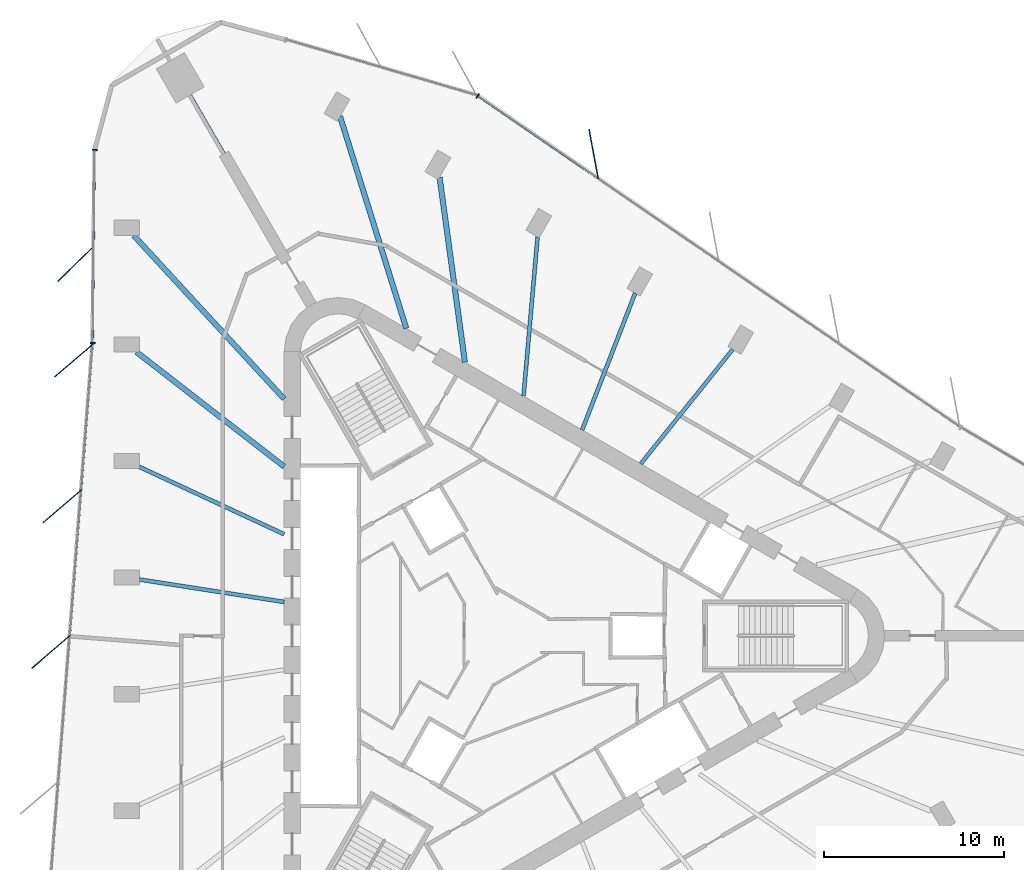
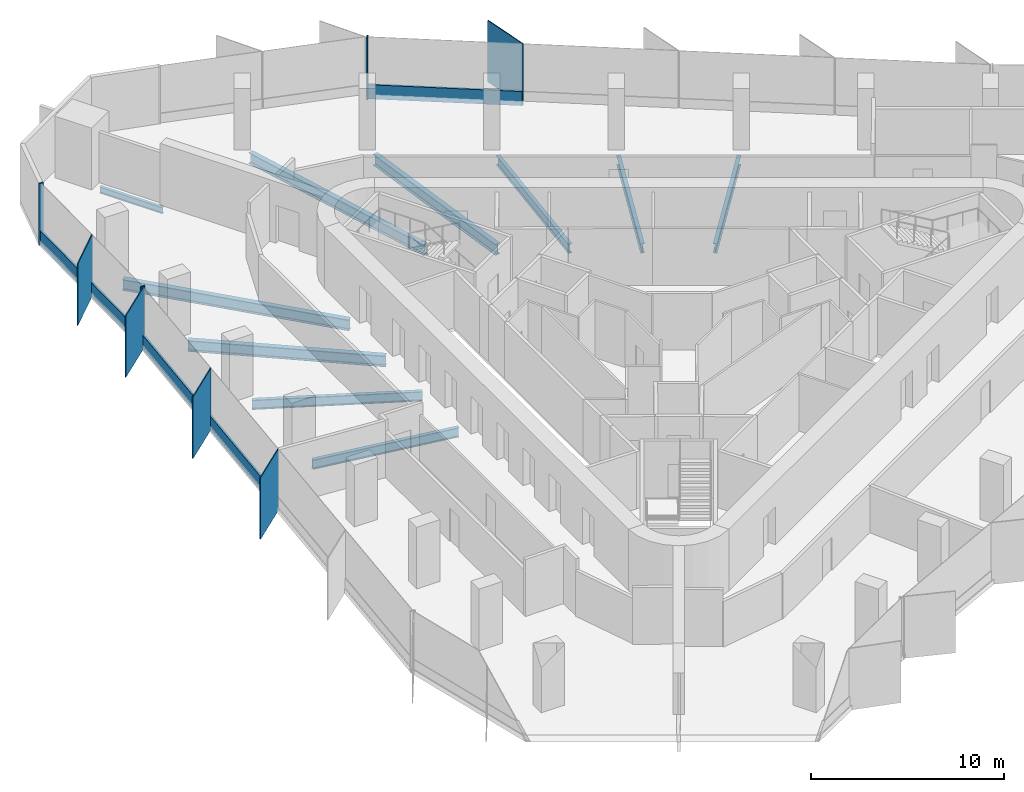
# One storey, part 4 of 14: 13 members, 10 beams, 3 elements without a shape of their own.
"""IFC4 building model written with IfcOpenShell, lengths in metres."""

from ifc_helpers import new_model, si_unit, direction, frame, origin, origin_2d, place, context, subcontext, project, spatial, rectangle, i_section, extrude, material, material_profile, profile_set, type_object, element, aggregate, save


model = new_model("IFC4")

# Units and contexts
model_context = context("Model", 3, precision=1e-05, world=origin(), true_north=direction((0.0, 1.0)))
body_context = subcontext(model_context, "Body", "Model", "MODEL_VIEW")
ifc_project = project(units=[si_unit("LENGTHUNIT", "METRE"), si_unit("AREAUNIT", "SQUARE_METRE"), si_unit("VOLUMEUNIT", "CUBIC_METRE"), si_unit("PLANEANGLEUNIT", "RADIAN"), si_unit("MASSUNIT", "GRAM", prefix="KILO")], contexts=[model_context])

# Site, building, storey
site_placement = place(None, origin())
site = spatial("IfcSite", under=ifc_project, at=site_placement, CompositionType="ELEMENT")
building_placement = place(site_placement, origin())
building = spatial("IfcBuilding", under=site, at=building_placement, Name="Tanit Gate Tower", CompositionType="ELEMENT")
storey_placement = place(building_placement, frame((0.0, 0.0, 306.5)))
storey = spatial("IfcBuildingStorey", under=building, at=storey_placement, Name="L68", CompositionType="ELEMENT", Elevation=306.5)

# Curtain wall, member
ifc_material_1 = material(Name="Aluminium bronze anodised and glass", Category="aluminium")
curtain_wall_type = type_object("IfcCurtainWallType", Name="Curtain wall typical high", PredefinedType="NOTDEFINED", material=ifc_material_1)
curtain_wall_1_placement = place(storey_placement, origin())
curtain_wall_1 = element("IfcCurtainWall", 1, at=curtain_wall_1_placement, inside=storey, type_object=curtain_wall_type, Name="Curtain wall L68 NE2", PredefinedType="NOTDEFINED")
ifc_material_2 = material(Name="Aluminium bronze anodised", Category="aluminium")
ifc_material_profile_1 = material_profile(ifc_material_2, rectangle(XDim=2.800048828125, YDim=0.055908203125, at=origin_2d()), Name="56x2800 bronze fin mullion")
ifc_profile_set_1 = profile_set([ifc_material_profile_1], Name="Aluminium bronze anodised")
member_type_1 = type_object("IfcMemberType", Name="FIN MULLION 56x2800 bronze", PredefinedType="MULLION", material=ifc_profile_set_1)
member_1_placement = place(storey_placement, frame((5.062744140625, 26.718017578125, -0.300048828125), z_axis=(0.0, 0.0, 1.0), x_axis=(0.182847499991, -0.983141287785, 0.0)))
member_1 = element("IfcMember", 2, at=member_1_placement, type_object=member_type_1, Name="Fin mullion L68 NE2.4", PredefinedType="MULLION", context=body_context, shape_type="SweptSolid", body=[
    extrude(rectangle(XDim=2.800048828125, YDim=0.055908203125, at=origin_2d()), origin(), (0.0, 0.0, 1.0), 3.900146484375),
])

curtain_wall_2_placement = place(storey_placement, origin())
curtain_wall_2 = element("IfcCurtainWall", 3, at=curtain_wall_2_placement, inside=storey, type_object=curtain_wall_type, Name="Curtain wall L68 W1", PredefinedType="NOTDEFINED")
member_2_placement = place(storey_placement, frame((-23.65625, 20.632568359375, -0.300048828125), z_axis=(0.0, 0.0, 1.0), x_axis=(0.71424439476, 0.699896381298, 0.0)))
member_2 = element("IfcMember", 4, at=member_2_placement, type_object=member_type_1, Name="Fin mullion L68 W1.2", PredefinedType="MULLION", context=body_context, shape_type="SweptSolid", body=[
    extrude(rectangle(XDim=2.800048828125, YDim=0.055908203125, at=origin_2d()), origin(), (0.0, 0.0, 1.0), 3.900146484375),
])

# Curtain wall, members
curtain_wall_3_placement = place(storey_placement, origin())
curtain_wall_3 = element("IfcCurtainWall", 5, at=curtain_wall_3_placement, inside=storey, type_object=curtain_wall_type, Name="Curtain wall L68 W2", PredefinedType="NOTDEFINED")
member_3_placement = place(storey_placement, frame((-23.77734375, 15.264892578125, -0.300048828125), z_axis=(0.0, 0.0, 1.0), x_axis=(0.760001580735, 0.649921223903, 0.0)))
member_3 = element("IfcMember", 6, at=member_3_placement, type_object=member_type_1, Name="Fin mullion L68 W2.1", PredefinedType="MULLION", context=body_context, shape_type="SweptSolid", body=[
    extrude(rectangle(XDim=2.800048828125, YDim=0.055908203125, at=origin_2d()), origin(), (0.0, 0.0, 1.0), 3.900146484375),
])
member_4_placement = place(storey_placement, frame((-24.407958984375, 7.18505859375, -0.300048828125), z_axis=(0.0, 0.0, 1.0), x_axis=(0.760001580735, 0.649921223903, 0.0)))
member_4 = element("IfcMember", 7, at=member_4_placement, type_object=member_type_1, Name="Fin mullion L68 W2.2", PredefinedType="MULLION", context=body_context, shape_type="SweptSolid", body=[
    extrude(rectangle(XDim=2.800048828125, YDim=0.055908203125, at=origin_2d()), origin(), (0.0, 0.0, 1.0), 3.900146484375),
])
member_5_placement = place(storey_placement, frame((-25.038818359375, -0.894775390625, -0.300048828125), z_axis=(0.0, 0.0, 1.0), x_axis=(0.760001580735, 0.649921223903, 0.0)))
member_5 = element("IfcMember", 8, at=member_5_placement, type_object=member_type_1, Name="Fin mullion L68 W2.3", PredefinedType="MULLION", context=body_context, shape_type="SweptSolid", body=[
    extrude(rectangle(XDim=2.800048828125, YDim=0.055908203125, at=origin_2d()), origin(), (0.0, 0.0, 1.0), 3.900146484375),
])

# Member
ifc_material_3 = material(Name="Aluminium bronze anodised", Category="aluminium")
ifc_material_profile_2 = material_profile(ifc_material_3, rectangle(XDim=0.280029296875, YDim=0.080078125, at=origin_2d()), Name="80x280 bronze mullion")
ifc_profile_set_2 = profile_set([ifc_material_profile_2], Name="Aluminium bronze anodised")
member_type_2 = type_object("IfcMemberType", Name="Mullion 80x280 typical high", PredefinedType="MULLION", material=ifc_profile_set_2)
member_6_placement = place(storey_placement, frame((-1.366943359375, 29.947265625, -0.300048828125), z_axis=(0.0, 0.0, 1.0), x_axis=(-0.56589316429, -0.824478578624, 0.0)))
member_6 = element("IfcMember", 9, at=member_6_placement, type_object=member_type_2, Name="Mullion L68 NE2.5", PredefinedType="MULLION", context=body_context, shape_type="SweptSolid", body=[
    extrude(rectangle(XDim=0.280029296875, YDim=0.080078125, at=origin_2d()), origin(), (0.0, 0.0, 1.0), 3.900146484375),
])

member_7_placement = place(storey_placement, frame((-22.615966796875, 26.955322265625, -0.300048828125), z_axis=(0.0, 0.0, 1.0), x_axis=(0.999948532303, -0.010145577616, 0.0)))
member_7 = element("IfcMember", 10, at=member_7_placement, type_object=member_type_2, Name="Mullion L68 W1.1", PredefinedType="MULLION", context=body_context, shape_type="SweptSolid", body=[
    extrude(rectangle(XDim=0.280029296875, YDim=0.080078125, at=origin_2d()), origin(), (0.0, 0.0, 1.0), 3.900146484375),
])

member_8_placement = place(storey_placement, frame((-22.724853515625, 16.24169921875, -0.300048828125), z_axis=(0.0, 0.0, 1.0), x_axis=(0.999948532303, -0.010145577616, 0.0)))
member_8 = element("IfcMember", 11, at=member_8_placement, type_object=member_type_2, Name="Mullion L68 W1.3", PredefinedType="MULLION", context=body_context, shape_type="SweptSolid", body=[
    extrude(rectangle(XDim=0.280029296875, YDim=0.080078125, at=origin_2d()), origin(), (0.0, 0.0, 1.0), 3.900146484375),
])

# Beams
ifc_material_4 = material(Name="Steel S355", Category="steel")
ifc_material_profile_3 = material_profile(ifc_material_4, i_section(OverallWidth=0.300048828125, OverallDepth=0.68994140625, WebThickness=0.014404296875, FlangeThickness=0.027099609375, FilletRadius=0.027099609375, at=origin_2d()), Name="HEA 700")
ifc_profile_set_3 = profile_set([ifc_material_profile_3], Name="Steel S355")
beam_type_1 = type_object("IfcBeamType", Name="RADIAL GIRDER HEA 700 S355", PredefinedType="BEAM", material=ifc_profile_set_3)
beam_1_placement = place(storey_placement, frame((-3.48291015625, 25.436767578125, -0.64501953125), z_axis=(0.135657975489, -0.990755728566, 0.0), x_axis=(0.990755728566, 0.135657975489, 0.0)))
element("IfcBeam", 12, at=beam_1_placement, inside=storey, type_object=beam_type_1, Name="RADIAL GIRDER", PredefinedType="BEAM", context=body_context, shape_type="SweptSolid", body=[
    extrude(i_section(OverallWidth=0.300048828125, OverallDepth=0.68994140625, WebThickness=0.014404296875, FlangeThickness=0.027099609375, FilletRadius=0.027099609375, at=origin_2d()), origin(), (0.0, 0.0, 1.0), 10.35888671875),
])
beam_2_placement = place(storey_placement, frame((-9.00244140625, 28.804443359375, -0.64501953125), z_axis=(0.298298699316, -0.954472569531, 0.0), x_axis=(0.954472569531, 0.298298699316, 0.0)))
element("IfcBeam", 13, at=beam_2_placement, inside=storey, type_object=beam_type_1, Name="RADIAL GIRDER", PredefinedType="BEAM", context=body_context, shape_type="SweptSolid", body=[
    extrude(i_section(OverallWidth=0.300048828125, OverallDepth=0.68994140625, WebThickness=0.014404296875, FlangeThickness=0.027099609375, FilletRadius=0.027099609375, at=origin_2d()), origin(), (0.0, 0.0, 1.0), 12.314208984375),
])
beam_3_placement = place(storey_placement, frame((-20.444091796875, 22.198486328125, -0.64501953125), z_axis=(0.677443856772, -0.735574483599, 0.0), x_axis=(0.735574483599, 0.677443856772, 0.0)))
element("IfcBeam", 14, at=beam_3_placement, inside=storey, type_object=beam_type_1, Name="RADIAL GIRDER", PredefinedType="BEAM", context=body_context, shape_type="SweptSolid", body=[
    extrude(i_section(OverallWidth=0.300048828125, OverallDepth=0.68994140625, WebThickness=0.014404296875, FlangeThickness=0.027099609375, FilletRadius=0.027099609375, at=origin_2d()), origin(), (0.0, 0.0, 1.0), 12.31396484375),
])
beam_4_placement = place(storey_placement, frame((-20.28759765625, 15.734619140625, -0.64501953125), z_axis=(0.790189054489, -0.612863164308, 0.0), x_axis=(0.612863164308, 0.790189054489, 0.0)))
element("IfcBeam", 15, at=beam_4_placement, inside=storey, type_object=beam_type_1, Name="RADIAL GIRDER", PredefinedType="BEAM", context=body_context, shape_type="SweptSolid", body=[
    extrude(i_section(OverallWidth=0.300048828125, OverallDepth=0.68994140625, WebThickness=0.014404296875, FlangeThickness=0.027099609375, FilletRadius=0.027099609375, at=origin_2d()), origin(), (0.0, 0.0, 1.0), 10.35888671875),
])
ifc_material_5 = material(Name="Steel S355", Category="steel")
ifc_material_profile_4 = material_profile(ifc_material_5, i_section(OverallWidth=0.179931640625, OverallDepth=0.39990234375, WebThickness=0.008544921875, FlangeThickness=0.013427734375, FilletRadius=0.02099609375, at=origin_2d()), Name="IPE 400")
ifc_profile_set_4 = profile_set([ifc_material_profile_4], Name="Steel S355")
beam_type_2 = type_object("IfcBeamType", Name="RADIAL GIRDER IPE 400 S355", PredefinedType="BEAM", material=ifc_profile_set_4)
beam_5_placement = place(storey_placement, frame((-17.3154296875, 29.9912109375, -0.5), z_axis=(0.500007177232, -0.866021259968, 0.0), x_axis=(0.866021259968, 0.500007177232, 0.0)))
element("IfcBeam", 16, at=beam_5_placement, inside=storey, type_object=beam_type_2, Name="RADIAL GIRDER", PredefinedType="BEAM", context=body_context, shape_type="SweptSolid", body=[
    extrude(i_section(OverallWidth=0.179931640625, OverallDepth=0.39990234375, WebThickness=0.008544921875, FlangeThickness=0.013427734375, FilletRadius=0.02099609375, at=origin_2d()), origin(), (0.0, 0.0, 1.0), 3.7607421875),
])
ifc_material_6 = material(Name="Steel S355", Category="steel")
ifc_material_profile_5 = material_profile(ifc_material_6, i_section(OverallWidth=0.219970703125, OverallDepth=0.60009765625, WebThickness=0.011962890625, FlangeThickness=0.01904296875, FilletRadius=0.02392578125, at=origin_2d()), Name="IPE 600")
ifc_profile_set_5 = profile_set([ifc_material_profile_5], Name="Steel S355")
beam_type_3 = type_object("IfcBeamType", Name="RADIAL GIRDER IPE 600 S355", PredefinedType="BEAM", material=ifc_profile_set_5)
for number, where, z_axis, x_axis, name in (
    (17, (12.772705078125, 15.876220703125, -0.60009765625), (-0.626835145211, -0.779151911201, 0.0), (0.779151911201, -0.626835145211, 0.0), "RADIAL GIRDER"),
    (18, (7.36279296875, 18.99951171875, -0.60009765625), (-0.361334449338, -0.932436279711, 0.0), (0.932436279711, -0.361334449338, 0.0), "RADIAL GIRDER"),
):
    element("IfcBeam", number, at=place(storey_placement, frame(where, z_axis=z_axis, x_axis=x_axis)), inside=storey, type_object=beam_type_3, Name=name, PredefinedType="BEAM", context=body_context, shape_type="SweptSolid", body=[
        extrude(i_section(OverallWidth=0.219970703125, OverallDepth=0.60009765625, WebThickness=0.011962890625, FlangeThickness=0.01904296875, FilletRadius=0.02392578125, at=origin_2d()), origin(), (0.0, 0.0, 1.0), 8.129638671875),
    ])
for number, where, z_axis, x_axis, name in (
    (19, (1.952880859375, 22.122802734375, -0.60009765625), (-0.087921954634, -0.996127366301, 0.0), (0.996127366301, -0.087921954634, 0.0), "RADIAL GIRDER"),
    (20, (-20.135498046875, 9.3701171875, -0.60009765625), (0.906633128224, -0.421919863015, 0.0), (0.421919863015, 0.906633128224, 0.0), "RADIAL GIRDER"),
):
    element("IfcBeam", number, at=place(storey_placement, frame(where, z_axis=z_axis, x_axis=x_axis)), inside=storey, type_object=beam_type_3, Name=name, PredefinedType="BEAM", context=body_context, shape_type="SweptSolid", body=[
        extrude(i_section(OverallWidth=0.219970703125, OverallDepth=0.60009765625, WebThickness=0.011962890625, FlangeThickness=0.01904296875, FilletRadius=0.02392578125, at=origin_2d()), origin(), (0.0, 0.0, 1.0), 8.86083984375),
    ])
beam_6_placement = place(storey_placement, frame((-20.135498046875, 3.123291015625, -0.60009765625), z_axis=(0.988182767287, -0.153280195844, 0.0), x_axis=(0.153280195844, 0.988182767287, 0.0)))
element("IfcBeam", 21, at=beam_6_placement, inside=storey, type_object=beam_type_3, Name="RADIAL GIRDER", PredefinedType="BEAM", context=body_context, shape_type="SweptSolid", body=[
    extrude(i_section(OverallWidth=0.219970703125, OverallDepth=0.60009765625, WebThickness=0.011962890625, FlangeThickness=0.01904296875, FilletRadius=0.02392578125, at=origin_2d()), origin(), (0.0, 0.0, 1.0), 8.12939453125),
])

# Member
ifc_material_7 = material(Name="Aluminium bronze anodised", Category="aluminium")
ifc_material_profile_6 = material_profile(ifc_material_7, rectangle(XDim=0.1201171875, YDim=0.89990234375, at=origin_2d()), Name="120x900 bronze transom")
ifc_profile_set_6 = profile_set([ifc_material_profile_6], Name="Aluminium bronze anodised")
member_type_3 = type_object("IfcMemberType", Name="Transom 120x900 typical high", PredefinedType="USERDEFINED", material=ifc_profile_set_6)
member_9_placement = place(storey_placement, frame((5.281982421875, 25.383544921875, 0.14990234375), z_axis=(-0.824475777341, 0.565897245601, 0.0), x_axis=(-0.565897245601, -0.824475777341, 0.0)))
member_9 = element("IfcMember", 22, at=member_9_placement, type_object=member_type_3, Name="Transom L68 NE2.4", ObjectType="TRANSOM", PredefinedType="USERDEFINED", context=body_context, shape_type="SweptSolid", body=[
    extrude(rectangle(XDim=0.1201171875, YDim=0.89990234375, at=origin_2d()), origin(), (0.0, 0.0, 1.0), 8.0244140625),
])

aggregate(curtain_wall_1, [member_1, member_6, member_9])

member_10_placement = place(storey_placement, frame((-22.616455078125, 26.915283203125, 0.14990234375), z_axis=(-0.010132270306, -0.999948667232, 0.0), x_axis=(0.999948667232, -0.010132270306, 0.0)))
member_10 = element("IfcMember", 23, at=member_10_placement, type_object=member_type_3, Name="Transom L68 W1.1", ObjectType="TRANSOM", PredefinedType="USERDEFINED", context=body_context, shape_type="SweptSolid", body=[
    extrude(rectangle(XDim=0.1201171875, YDim=0.89990234375, at=origin_2d()), origin(), (0.0, 0.0, 1.0), 5.27685546875),
])

member_11_placement = place(storey_placement, frame((-22.6708984375, 21.55859375, 0.14990234375), z_axis=(-0.010131801571, -0.999948671981, 0.0), x_axis=(0.999948671981, -0.010131801571, 0.0)))
member_11 = element("IfcMember", 24, at=member_11_placement, type_object=member_type_3, Name="Transom L68 W1.2", ObjectType="TRANSOM", PredefinedType="USERDEFINED", context=body_context, shape_type="SweptSolid", body=[
    extrude(rectangle(XDim=0.1201171875, YDim=0.89990234375, at=origin_2d()), origin(), (0.0, 0.0, 1.0), 5.277099609375),
])

aggregate(curtain_wall_2, [member_7, member_2, member_8, member_10, member_11])

member_12_placement = place(storey_placement, frame((-22.7314453125, 16.1220703125, 0.14990234375), z_axis=(-0.077827186267, -0.996966864584, 0.0), x_axis=(0.996966864584, -0.077827186267, 0.0)))
member_12 = element("IfcMember", 25, at=member_12_placement, type_object=member_type_3, Name="Transom L68 W2.1", ObjectType="TRANSOM", PredefinedType="USERDEFINED", context=body_context, shape_type="SweptSolid", body=[
    extrude(rectangle(XDim=0.1201171875, YDim=0.89990234375, at=origin_2d()), origin(), (0.0, 0.0, 1.0), 8.0244140625),
])

member_13_placement = place(storey_placement, frame((-23.3623046875, 8.042236328125, 0.14990234375), z_axis=(-0.077827186267, -0.996966864584, 0.0), x_axis=(0.996966864584, -0.077827186267, 0.0)))
member_13 = element("IfcMember", 26, at=member_13_placement, type_object=member_type_3, Name="Transom L68 W2.2", ObjectType="TRANSOM", PredefinedType="USERDEFINED", context=body_context, shape_type="SweptSolid", body=[
    extrude(rectangle(XDim=0.1201171875, YDim=0.89990234375, at=origin_2d()), origin(), (0.0, 0.0, 1.0), 8.0244140625),
])

aggregate(curtain_wall_3, [member_3, member_4, member_5, member_12, member_13])

save(model, "model.ifc")
